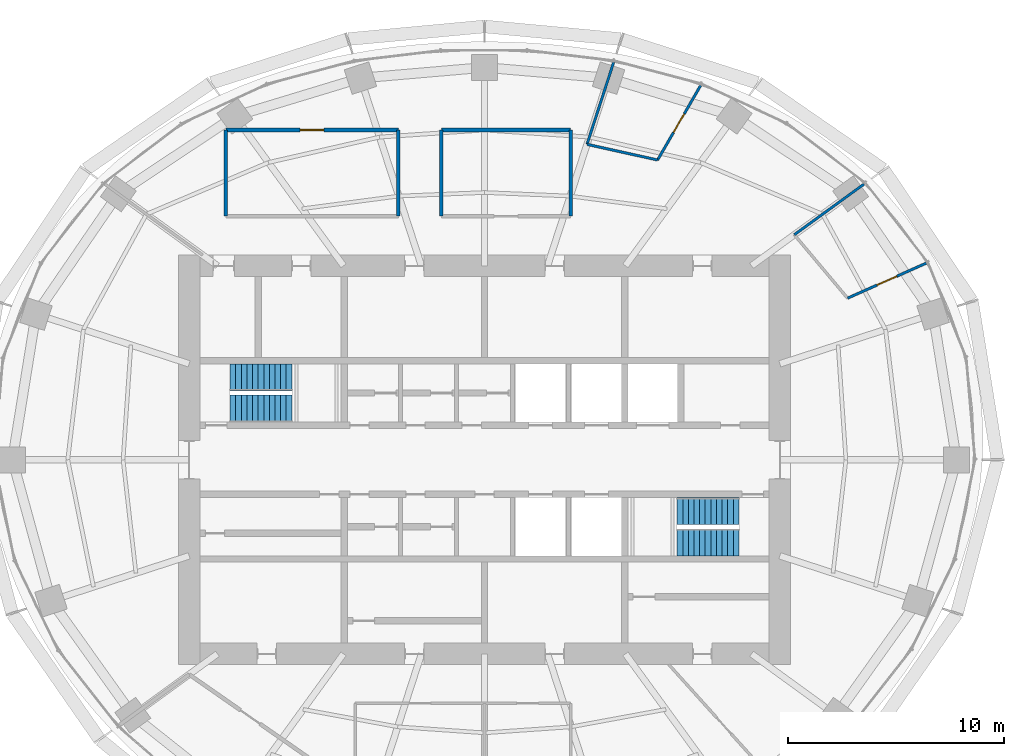
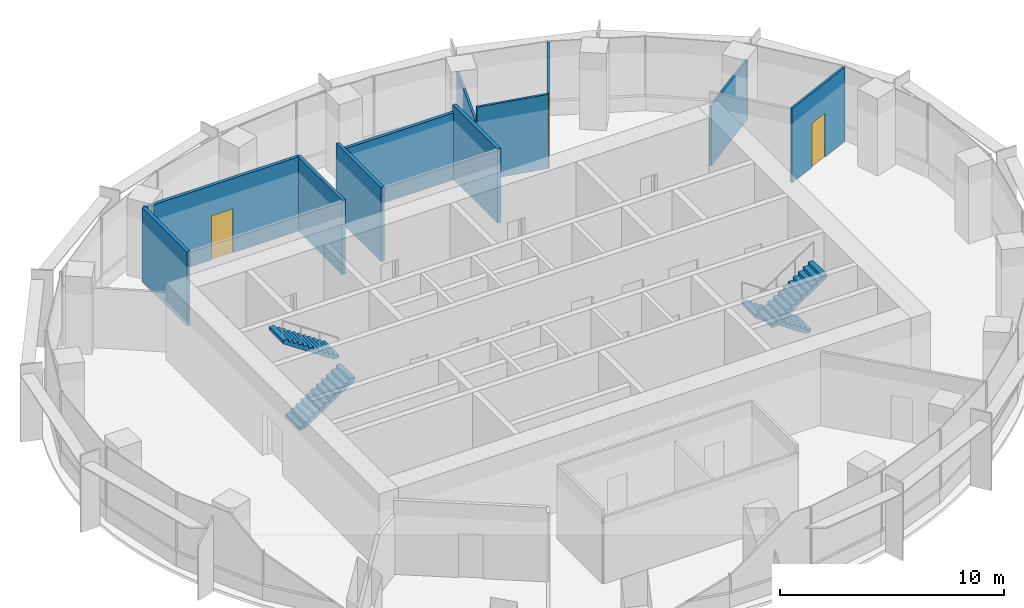
# One storey, part 11 of 13: 11 walls, 4 stair flights, 3 doors, 3 openings, 2 elements without a shape of their own.
"""IFC4 building model written with IfcOpenShell, lengths in metres."""

from ifc_helpers import new_model, si_unit, direction, frame, frame_2d, origin, place, context, subcontext, project, spatial, polyline, rectangle, outline, extrude, material, layer, layer_set, type_object, element, fill, aggregate, save


model = new_model("IFC4")

# Units and contexts
model_context = context("Model", 3, precision=1e-05, world=origin(), true_north=direction((0.0, 1.0)))
body_context = subcontext(model_context, "Body", "Model", "MODEL_VIEW")
ifc_project = project(units=[si_unit("LENGTHUNIT", "METRE"), si_unit("AREAUNIT", "SQUARE_METRE"), si_unit("VOLUMEUNIT", "CUBIC_METRE"), si_unit("PLANEANGLEUNIT", "RADIAN"), si_unit("MASSUNIT", "GRAM", prefix="KILO")], contexts=[model_context])

# Site, building, storey
site_placement = place(None, origin())
site = spatial("IfcSite", under=ifc_project, at=site_placement, CompositionType="ELEMENT")
building_placement = place(site_placement, origin())
building = spatial("IfcBuilding", under=site, at=building_placement, Name="Marramba Exchange Tower", CompositionType="ELEMENT")
storey_placement = place(building_placement, frame((0.0, 0.0, 268.60009765625)))
storey = spatial("IfcBuildingStorey", under=building, at=storey_placement, Name="L65", CompositionType="ELEMENT", Elevation=268.60009765625)

# Walls
ifc_material_1 = material(Name="Plasterboard on staggered double steel studs, acoustic insulation", Category="steel")
ifc_layer_1 = layer(ifc_material_1, 0.169921875)
ifc_layer_set_1 = layer_set([ifc_layer_1], Name="Acoustic partition 170")
wall_type_1 = type_object("IfcWallType", Name="Acoustic partition 170", PredefinedType="PARTITIONING", material=ifc_layer_set_1)
wall_1_placement = place(storey_placement, frame((4.0, 15.300048828125, 0.0), z_axis=(0.0, 0.0, 1.0), x_axis=(0.0, -1.0, 0.0)))
element("IfcWall", 1, at=wall_1_placement, inside=storey, type_object=wall_type_1, Name="Acoustic partition L65 16", PredefinedType="PARTITIONING", context=body_context, shape_type="SweptSolid", body=[
    extrude(rectangle(XDim=4.0, YDim=0.169921875, at=frame_2d((2.0, 0.0))), origin(), (0.0, 0.0, 1.0), 4.039794921875),
])
wall_2_placement = place(storey_placement, frame((-2.0, 15.300048828125, 0.0), z_axis=(0.0, 0.0, 1.0), x_axis=(1.0, 0.0, 0.0)))
element("IfcWall", 2, at=wall_2_placement, inside=storey, type_object=wall_type_1, Name="Acoustic partition L65 18", PredefinedType="PARTITIONING", context=body_context, shape_type="SweptSolid", body=[
    extrude(rectangle(XDim=6.0, YDim=0.169921875, at=frame_2d((3.0, 0.0))), origin(), (0.0, 0.0, 1.0), 3.636962890625),
])
for number, where, z_axis, x_axis, name in (
    (3, (-2.0, 11.300048828125, 0.0), (0.0, 0.0, 1.0), (0.0, 1.0, 0.0), "Acoustic partition L65 19"),
    (4, (-4.0, 15.300048828125, 0.0), (0.0, 0.0, 1.0), (0.0, -1.0, 0.0), "Acoustic partition L65 20"),
):
    element("IfcWall", number, at=place(storey_placement, frame(where, z_axis=z_axis, x_axis=x_axis)), inside=storey, type_object=wall_type_1, Name=name, PredefinedType="PARTITIONING", context=body_context, shape_type="SweptSolid", body=[
        extrude(rectangle(XDim=4.0, YDim=0.169921875, at=frame_2d((2.0, 0.0))), origin(), (0.0, 0.0, 1.0), 4.039794921875),
    ])

# Wall, opening, door
wall_3_placement = place(storey_placement, frame((-12.0, 15.300048828125, 0.0), z_axis=(0.0, 0.0, 1.0), x_axis=(1.0, 0.0, 0.0)))
wall_3 = element("IfcWall", 5, at=wall_3_placement, inside=storey, type_object=wall_type_1, Name="Acoustic partition L65 21", PredefinedType="PARTITIONING", context=body_context, shape_type="SweptSolid", body=[
    extrude(rectangle(XDim=8.0, YDim=0.169921875, at=frame_2d((4.0, 0.0))), origin(), (0.0, 0.0, 1.0), 4.039794921875),
])
opening_1_placement = place(wall_3_placement, frame((3.449951171875, 0.0, 0.0)))
opening_1 = element("IfcOpeningElement", 6, at=opening_1_placement, cuts=wall_3, Name="Opening D15", PredefinedType="OPENING", context=body_context, shape_type="SweptSolid", body=[
    extrude(rectangle(XDim=1.10009765625, YDim=2.39990234375, at=frame_2d((0.550048828125, 1.199951171875))), frame((0.0, 0.094970703125, 0.0), z_axis=(0.0, -1.0, 0.0), x_axis=(1.0, 0.0, 0.0)), (0.0, 0.0, 1.0), 0.18994140625),
])
ifc_material_2 = material(Name="Timber door", Category="wood")
door_type_1 = type_object("IfcDoorType", Name="Glazed meeting room door 1100x2400", OperationType="SINGLE_SWING_LEFT", PredefinedType="DOOR", material=ifc_material_2)
door_1_placement = place(opening_1_placement, frame((1.10009765625, 0.0, 0.0), z_axis=(0.0, 0.0, 1.0), x_axis=(-1.0, 0.0, 0.0)))
door_1 = element("IfcDoor", 7, at=door_1_placement, inside=storey, type_object=door_type_1, Name="D15 Meeting Room 1 L65", OperationType="SINGLE_SWING_RIGHT", OverallHeight=2.39990234375, OverallWidth=1.10009765625, PredefinedType="DOOR", context=body_context, shape_type="SweptSolid", body=[
    extrude(rectangle(XDim=1.10009765625, YDim=2.39990234375, at=frame_2d((0.550048828125, 1.199951171875))), frame((0.0, 0.025146484375, 0.0), z_axis=(0.0, -1.0, 0.0), x_axis=(1.0, 0.0, 0.0)), (0.0, 0.0, 1.0), 0.050048828125),
])
fill(opening_1, door_1)

# Wall
wall_4_placement = place(storey_placement, frame((-12.0, 11.300048828125, 0.0), z_axis=(0.0, 0.0, 1.0), x_axis=(0.0, 1.0, 0.0)))
element("IfcWall", 8, at=wall_4_placement, inside=storey, type_object=wall_type_1, Name="Acoustic partition L65 23", PredefinedType="PARTITIONING", context=body_context, shape_type="SweptSolid", body=[
    extrude(rectangle(XDim=4.0, YDim=0.169921875, at=frame_2d((2.0, 0.0))), origin(), (0.0, 0.0, 1.0), 4.039794921875),
])

# Wall, opening, door
ifc_material_3 = material(Name="Plasterboard on steel studs", Category="steel")
ifc_layer_2 = layer(ifc_material_3, 0.1201171875)
ifc_layer_set_2 = layer_set([ifc_layer_2], Name="Partition 120")
wall_type_2 = type_object("IfcWallType", Name="Partition 120", PredefinedType="PARTITIONING", material=ifc_layer_set_2)
wall_5_placement = place(storey_placement, frame((16.84228515625, 7.498779296875, 0.0), z_axis=(0.0, 0.0, 1.0), x_axis=(0.913549606868, 0.406727323635, 0.0)))
wall_5 = element("IfcWall", 9, at=wall_5_placement, inside=storey, type_object=wall_type_2, Name="Partition L65 10", PredefinedType="PARTITIONING", context=body_context, shape_type="SweptSolid", body=[
    extrude(rectangle(XDim=4.0, YDim=0.1201171875, at=frame_2d((2.0, 0.0))), origin(), (0.0, 0.0, 1.0), 4.039794921875),
])
opening_2_placement = place(wall_5_placement, frame((1.5, 0.0, 0.0)))
opening_2 = element("IfcOpeningElement", 10, at=opening_2_placement, cuts=wall_5, Name="Opening D9", PredefinedType="OPENING", context=body_context, shape_type="SweptSolid", body=[
    extrude(rectangle(XDim=1.0, YDim=2.39990234375, at=frame_2d((0.5, 1.199951171875))), frame((0.0, 0.070068359375, 0.0), z_axis=(0.0, -1.0, 0.0), x_axis=(1.0, 0.0, 0.0)), (0.0, 0.0, 1.0), 0.14013671875),
])
door_type_2 = type_object("IfcDoorType", Name="Room door 1000x2400", OperationType="SINGLE_SWING_LEFT", PredefinedType="DOOR", material=ifc_material_2)
door_2_placement = place(opening_2_placement, origin())
door_2 = element("IfcDoor", 11, at=door_2_placement, inside=storey, type_object=door_type_2, Name="D9 Executive Office 2 L65", OperationType="SINGLE_SWING_RIGHT", OverallHeight=2.39990234375, OverallWidth=1.0, PredefinedType="DOOR", context=body_context, shape_type="SweptSolid", body=[
    extrude(rectangle(XDim=1.0, YDim=2.39990234375, at=frame_2d((0.5, 1.199951171875))), frame((0.0, 0.02490234375, 0.0), z_axis=(0.0, -1.0, 0.0), x_axis=(1.0, 0.0, 0.0)), (0.0, 0.0, 1.0), 0.050048828125),
])
fill(opening_2, door_2)

# Wall
wall_6_placement = place(storey_placement, frame((17.608642578125, 12.79345703125, 0.0), z_axis=(0.0, 0.0, 1.0), x_axis=(-0.809026317077, -0.587772420479, 0.0)))
element("IfcWall", 12, at=wall_6_placement, inside=storey, type_object=wall_type_2, Name="Partition L65 12", PredefinedType="PARTITIONING", context=body_context, shape_type="SweptSolid", body=[
    extrude(rectangle(XDim=4.0, YDim=0.1201171875, at=frame_2d((2.0, 0.0))), origin(), (0.0, 0.0, 1.0), 3.239990234375),
])

# Wall, opening, door
wall_7_placement = place(storey_placement, frame((8.030517578125, 13.909423828125, 0.0), z_axis=(0.0, 0.0, 1.0), x_axis=(0.49999894854, 0.866026010844, 0.0)))
wall_7 = element("IfcWall", 13, at=wall_7_placement, inside=storey, type_object=wall_type_2, Name="Partition L65 13", PredefinedType="PARTITIONING", context=body_context, shape_type="SweptSolid", body=[
    extrude(rectangle(XDim=4.0, YDim=0.1201171875, at=frame_2d((2.0, 0.0))), origin(), (0.0, 0.0, 1.0), 4.039794921875),
])
opening_3_placement = place(wall_7_placement, frame((1.47412109375, 0.0, 0.0)))
opening_3 = element("IfcOpeningElement", 14, at=opening_3_placement, cuts=wall_7, Name="Opening D9", PredefinedType="OPENING", context=body_context, shape_type="SweptSolid", body=[
    extrude(rectangle(XDim=1.0, YDim=2.39990234375, at=frame_2d((0.5, 1.199951171875))), frame((0.0, 0.070068359375, 0.0), z_axis=(0.0, -1.0, 0.0), x_axis=(1.0, 0.0, 0.0)), (0.0, 0.0, 1.0), 0.14013671875),
])
door_3_placement = place(opening_3_placement, origin())
door_3 = element("IfcDoor", 15, at=door_3_placement, inside=storey, type_object=door_type_2, Name="D9 Executive Office 1 L65", OperationType="SINGLE_SWING_RIGHT", OverallHeight=2.39990234375, OverallWidth=1.0, PredefinedType="DOOR", context=body_context, shape_type="SweptSolid", body=[
    extrude(rectangle(XDim=1.0, YDim=2.39990234375, at=frame_2d((0.5, 1.199951171875))), frame((0.0, 0.02490234375, 0.0), z_axis=(0.0, -1.0, 0.0), x_axis=(1.0, 0.0, 0.0)), (0.0, 0.0, 1.0), 0.050048828125),
])
fill(opening_3, door_3)

# Walls
wall_8_placement = place(storey_placement, frame((4.755615234375, 14.63671875, 0.0), z_axis=(0.0, 0.0, 1.0), x_axis=(0.976216161762, -0.216799459213, 0.0)))
element("IfcWall", 16, at=wall_8_placement, inside=storey, type_object=wall_type_2, Name="Partition L65 14", PredefinedType="PARTITIONING", context=body_context, shape_type="SweptSolid", body=[
    extrude(rectangle(XDim=3.354736328125, YDim=0.1201171875, at=frame_2d((1.67724609375, 0.0))), origin(), (0.0, 0.0, 1.0), 4.039794921875),
])
wall_9_placement = place(storey_placement, frame((5.99169921875, 18.44091796875, 0.0), z_axis=(0.0, 0.0, 1.0), x_axis=(-0.309022586479, -0.951054699292, 0.0)))
element("IfcWall", 17, at=wall_9_placement, inside=storey, type_object=wall_type_2, Name="Partition L65 15", PredefinedType="PARTITIONING", context=body_context, shape_type="SweptSolid", body=[
    extrude(rectangle(XDim=4.0, YDim=0.1201171875, at=frame_2d((2.0, 0.0))), origin(), (0.0, 0.0, 1.0), 3.239990234375),
])

# Stair, stair flights
ifc_material_4 = material(Name="Concrete N40 (40 MPa)", Category="concrete")
stair_type_1 = type_object("IfcStairType", Name="Exit stair ST1 4200 x 1250", PredefinedType="HALF_TURN_STAIR", material=ifc_material_4)
stair_1_placement = place(storey_placement, origin())
stair_1 = element("IfcStair", 18, at=stair_1_placement, inside=storey, type_object=stair_type_1, Name="Exit stair ST1 L65", PredefinedType="HALF_TURN_STAIR")
stair_flight_type_1 = type_object("IfcStairFlightType", Name="ST1 stair flight 1750 riser 1250 wide", PredefinedType="STRAIGHT", material=ifc_material_4)
stair_flight_1_placement = place(storey_placement, frame((-11.800048828125, 2.375, 0.0), z_axis=(0.0, 0.0, 1.0), x_axis=(1.0, 0.0, 0.0)))
stair_flight_1 = element("IfcStairFlight", 19, at=stair_flight_1_placement, type_object=stair_flight_type_1, Name="ST1 flight 1", NumberOfRisers=12, NumberOfTreads=11, PredefinedType="STRAIGHT", RiserHeight=0.175, TreadLength=0.26, context=body_context, shape_type="SweptSolid", body=[
    extrude(outline(polyline([(0.0, 0.0), (0.0, 0.175048828125), (0.260009765625, 0.175048828125), (0.260009765625, 0.35009765625), (0.52001953125, 0.35009765625), (0.52001953125, 0.52490234375), (0.780029296875, 0.52490234375), (0.780029296875, 0.699951171875), (1.0400390625, 0.699951171875), (1.0400390625, 0.875), (1.300048828125, 0.875), (1.300048828125, 1.050048828125), (1.56005859375, 1.050048828125), (1.56005859375, 1.22509765625), (1.820068359375, 1.22509765625), (1.820068359375, 1.39990234375), (2.080078125, 1.39990234375), (2.080078125, 1.574951171875), (2.340087890625, 1.574951171875), (2.340087890625, 1.75), (2.60009765625, 1.75), (2.60009765625, 1.925048828125), (2.860107421875, 1.925048828125), (2.860107421875, 2.10009765625), (2.860107421875, 1.744384765625), (0.2685546875, 0.0), (0.0, 0.0)])), frame((0.0, 0.625, 0.0), z_axis=(0.0, -1.0, 0.0), x_axis=(1.0, 0.0, 0.0)), (0.0, 0.0, 1.0), 1.25),
])
stair_flight_2_placement = place(storey_placement, frame((-8.93994140625, 3.824951171875, 2.099853515625), z_axis=(0.0, 0.0, 1.0), x_axis=(-1.0, 0.0, 0.0)))
stair_flight_2 = element("IfcStairFlight", 20, at=stair_flight_2_placement, type_object=stair_flight_type_1, Name="ST1 flight 2", NumberOfRisers=12, NumberOfTreads=11, PredefinedType="STRAIGHT", RiserHeight=0.175, TreadLength=0.26, context=body_context, shape_type="SweptSolid", body=[
    extrude(outline(polyline([(0.0, 0.0), (0.0, 0.175048828125), (0.260009765625, 0.175048828125), (0.260009765625, 0.35009765625), (0.52001953125, 0.35009765625), (0.52001953125, 0.52490234375), (0.780029296875, 0.52490234375), (0.780029296875, 0.699951171875), (1.0400390625, 0.699951171875), (1.0400390625, 0.875), (1.300048828125, 0.875), (1.300048828125, 1.050048828125), (1.56005859375, 1.050048828125), (1.56005859375, 1.22509765625), (1.820068359375, 1.22509765625), (1.820068359375, 1.39990234375), (2.080078125, 1.39990234375), (2.080078125, 1.574951171875), (2.340087890625, 1.574951171875), (2.340087890625, 1.75), (2.60009765625, 1.75), (2.60009765625, 1.925048828125), (2.860107421875, 1.925048828125), (2.860107421875, 2.10009765625), (2.860107421875, 1.744384765625), (0.2685546875, 0.0), (0.0, 0.0)])), frame((0.0, 0.625, 0.0), z_axis=(0.0, -1.0, 0.0), x_axis=(1.0, 0.0, 0.0)), (0.0, 0.0, 1.0), 1.25),
])
aggregate(stair_1, [stair_flight_1, stair_flight_2])

stair_type_2 = type_object("IfcStairType", Name="Exit stair ST2 4200 x 1250", PredefinedType="HALF_TURN_STAIR", material=ifc_material_4)
stair_2_placement = place(storey_placement, origin())
stair_2 = element("IfcStair", 21, at=stair_2_placement, inside=storey, type_object=stair_type_2, Name="Exit stair ST2 L65", PredefinedType="HALF_TURN_STAIR")
stair_flight_type_2 = type_object("IfcStairFlightType", Name="ST2 stair flight 1750 riser 1250 wide", PredefinedType="STRAIGHT", material=ifc_material_4)
stair_flight_3_placement = place(storey_placement, frame((11.800048828125, -2.375, 0.0), z_axis=(0.0, 0.0, 1.0), x_axis=(-1.0, 0.0, 0.0)))
stair_flight_3 = element("IfcStairFlight", 22, at=stair_flight_3_placement, type_object=stair_flight_type_2, Name="ST2 flight 1", NumberOfRisers=12, NumberOfTreads=11, PredefinedType="STRAIGHT", RiserHeight=0.175, TreadLength=0.26, context=body_context, shape_type="SweptSolid", body=[
    extrude(outline(polyline([(0.0, 0.0), (0.0, 0.175048828125), (0.260009765625, 0.175048828125), (0.260009765625, 0.35009765625), (0.52001953125, 0.35009765625), (0.52001953125, 0.52490234375), (0.780029296875, 0.52490234375), (0.780029296875, 0.699951171875), (1.0400390625, 0.699951171875), (1.0400390625, 0.875), (1.300048828125, 0.875), (1.300048828125, 1.050048828125), (1.56005859375, 1.050048828125), (1.56005859375, 1.22509765625), (1.820068359375, 1.22509765625), (1.820068359375, 1.39990234375), (2.080078125, 1.39990234375), (2.080078125, 1.574951171875), (2.340087890625, 1.574951171875), (2.340087890625, 1.75), (2.60009765625, 1.75), (2.60009765625, 1.925048828125), (2.860107421875, 1.925048828125), (2.860107421875, 2.10009765625), (2.860107421875, 1.744384765625), (0.2685546875, 0.0), (0.0, 0.0)])), frame((0.0, 0.625, 0.0), z_axis=(0.0, -1.0, 0.0), x_axis=(1.0, 0.0, 0.0)), (0.0, 0.0, 1.0), 1.25),
])
stair_flight_4_placement = place(storey_placement, frame((8.93994140625, -3.824951171875, 2.099853515625), z_axis=(0.0, 0.0, 1.0), x_axis=(1.0, 0.0, 0.0)))
stair_flight_4 = element("IfcStairFlight", 23, at=stair_flight_4_placement, type_object=stair_flight_type_2, Name="ST2 flight 2", NumberOfRisers=12, NumberOfTreads=11, PredefinedType="STRAIGHT", RiserHeight=0.175, TreadLength=0.26, context=body_context, shape_type="SweptSolid", body=[
    extrude(outline(polyline([(0.0, 0.0), (0.0, 0.175048828125), (0.260009765625, 0.175048828125), (0.260009765625, 0.35009765625), (0.52001953125, 0.35009765625), (0.52001953125, 0.52490234375), (0.780029296875, 0.52490234375), (0.780029296875, 0.699951171875), (1.0400390625, 0.699951171875), (1.0400390625, 0.875), (1.300048828125, 0.875), (1.300048828125, 1.050048828125), (1.56005859375, 1.050048828125), (1.56005859375, 1.22509765625), (1.820068359375, 1.22509765625), (1.820068359375, 1.39990234375), (2.080078125, 1.39990234375), (2.080078125, 1.574951171875), (2.340087890625, 1.574951171875), (2.340087890625, 1.75), (2.60009765625, 1.75), (2.60009765625, 1.925048828125), (2.860107421875, 1.925048828125), (2.860107421875, 2.10009765625), (2.860107421875, 1.744384765625), (0.2685546875, 0.0), (0.0, 0.0)])), frame((0.0, 0.625, 0.0), z_axis=(0.0, -1.0, 0.0), x_axis=(1.0, 0.0, 0.0)), (0.0, 0.0, 1.0), 1.25),
])
aggregate(stair_2, [stair_flight_3, stair_flight_4])

save(model, "model.ifc")
